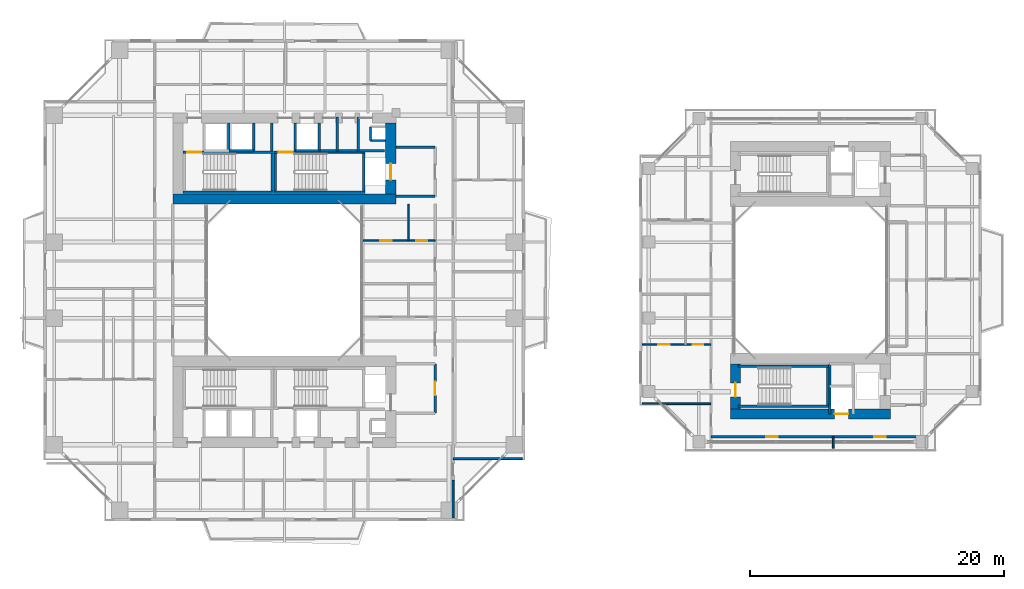
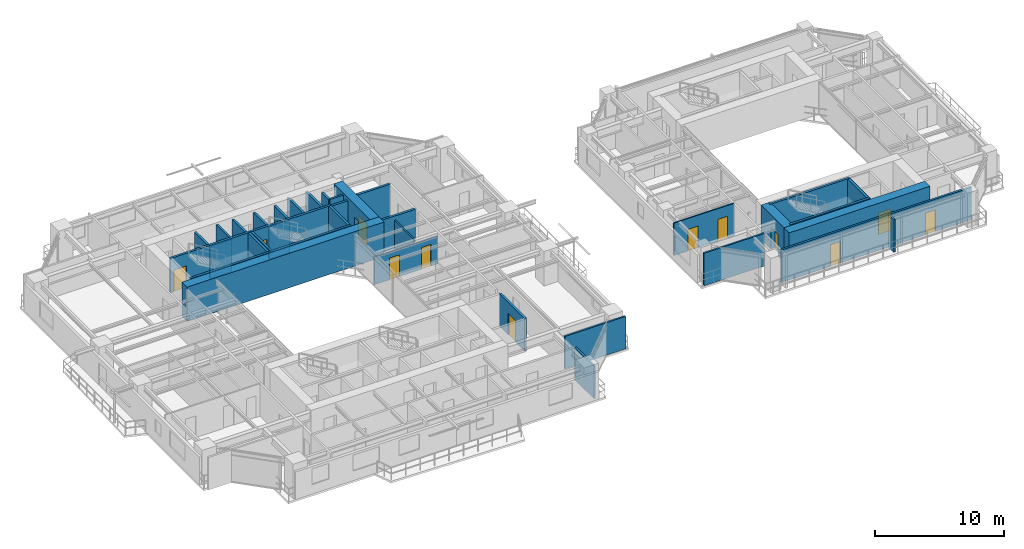
# One storey, part 14 of 23: 38 walls, 12 doors, 12 openings.
"""IFC4 building model written with IfcOpenShell, lengths in metres."""

from ifc_helpers import new_model, si_unit, direction, frame, frame_2d, origin, place, context, subcontext, project, spatial, rectangle, extrude, source, transform, mapped, material, layer, layer_set, type_object, element, fill, save


model = new_model("IFC4")

# Units and contexts
model_context = context("Model", 3, precision=1e-05, world=origin(), true_north=direction((0.0, 1.0)))
body_context = subcontext(model_context, "Body", "Model", "MODEL_VIEW")
ifc_project = project(units=[si_unit("LENGTHUNIT", "METRE"), si_unit("AREAUNIT", "SQUARE_METRE"), si_unit("VOLUMEUNIT", "CUBIC_METRE"), si_unit("PLANEANGLEUNIT", "RADIAN"), si_unit("MASSUNIT", "GRAM", prefix="KILO"), si_unit("THERMODYNAMICTEMPERATUREUNIT", "KELVIN"), si_unit("POWERUNIT", "WATT")], contexts=[model_context])

# Site, building, storey
site_placement = place(None, origin())
site = spatial("IfcSite", under=ifc_project, at=site_placement, CompositionType="ELEMENT")
building_placement = place(site_placement, origin())
building = spatial("IfcBuilding", under=site, at=building_placement, Name="Qiaomeng Ring Towers", CompositionType="ELEMENT")
storey_placement = place(building_placement, frame((0.0, 0.0, 29.5)))
storey = spatial("IfcBuildingStorey", under=building, at=storey_placement, Name="L07", CompositionType="ELEMENT", Elevation=29.5)

# Walls
ifc_material_1 = material(Name="Autoclaved aerated concrete block", Category="concrete")
ifc_layer_1 = layer(ifc_material_1, 0.199951171875, Name="Autoclaved aerated concrete block")
ifc_layer_set_1 = layer_set([ifc_layer_1], Name="Autoclaved aerated concrete block")
wall_type_1 = type_object("IfcWallType", Name="ARC-WL-PW1", PredefinedType="PARTITIONING", material=ifc_layer_set_1)
for number, where, z_axis, x_axis, name in (
    (1, (27.800048828125, 29.60009765625, 0.0), (0.0, 0.0, 1.0), (1.0, 0.0, 0.0), "L07 Interior Wall PW1"),
    (2, (27.800048828125, 33.5, 0.0), (0.0, 0.0, 1.0), (1.0, 0.0, 0.0), "L07 Interior Wall PW1"),
):
    element("IfcWall", number, at=place(storey_placement, frame(where, z_axis=z_axis, x_axis=x_axis)), inside=storey, type_object=wall_type_1, Name=name, PredefinedType="PARTITIONING", context=body_context, shape_type="SweptSolid", body=[
        extrude(rectangle(XDim=3.099853515625, YDim=0.199951171875, at=frame_2d((1.5498046875, 0.0))), origin(), (0.0, 0.0, 1.0), 3.070068359375),
    ])

# Wall, opening, door
wall_1_placement = place(storey_placement, frame((30.89990234375, 12.5, 0.0), z_axis=(0.0, 0.0, 1.0), x_axis=(0.0, 1.0, 0.0)))
wall_1 = element("IfcWall", 3, at=wall_1_placement, inside=storey, type_object=wall_type_1, Name="L07 Interior Wall PW1", PredefinedType="PARTITIONING", context=body_context, shape_type="SweptSolid", body=[
    extrude(rectangle(XDim=3.89990234375, YDim=0.199951171875, at=frame_2d((1.949951171875, 0.0))), origin(), (0.0, 0.0, 1.0), 3.070068359375),
])
opening_1_placement = place(wall_1_placement, frame((1.39990234375, 0.0, 0.0)))
opening_1 = element("IfcOpeningElement", 4, at=opening_1_placement, cuts=wall_1, Name="Opening FD3", PredefinedType="OPENING", context=body_context, shape_type="SweptSolid", body=[
    extrude(rectangle(XDim=1.10009765625, YDim=2.050048828125, at=frame_2d((0.550048828125, 1.02490234375))), frame((0.0, 0.10986328125, 0.0), z_axis=(0.0, -1.0, 0.0), x_axis=(1.0, 0.0, 0.0)), (0.0, 0.0, 1.0), 0.219970703125),
])
ifc_material_2 = material(Name="Galvanised steel", Category="steel")
door_type_1 = type_object("IfcDoorType", Name="ARC-DR-FD3", OperationType="NOTDEFINED", PredefinedType="DOOR", material=ifc_material_2)
shared_shape_1 = source(origin(), body_context, "Body", "SweptSolid", [
    extrude(rectangle(XDim=1.10009765625, YDim=2.050048828125, at=frame_2d((0.550048828125, 1.02490234375))), frame((0.0, 0.02490234375, 0.0), z_axis=(0.0, -1.0, 0.0), x_axis=(1.0, 0.0, 0.0)), (0.0, 0.0, 1.0), 0.050048828125),
])
door_1_placement = place(opening_1_placement, origin())
door_1 = element("IfcDoor", 5, at=door_1_placement, inside=storey, type_object=door_type_1, Name="L07 South FF Lobby Door", OperationType="SINGLE_SWING_RIGHT", OverallHeight=2.050048828125, OverallWidth=1.10009765625, PredefinedType="DOOR", context=body_context, shape_type="MappedRepresentation", body=[
    mapped(shared_shape_1, transform((0.0, 0.0, 0.0), x_axis=(1.0, 0.0, 0.0), y_axis=(0.0, 1.0, 0.0), z_axis=(0.0, 0.0, 1.0), scale=1.0)),
])
fill(opening_1, door_1)

# Walls
for number, where, z_axis, x_axis, name in (
    (6, (18.0, 33.18994140625, 0.0), (0.0, 0.0, 1.0), (0.0, 1.0, 0.0), "L07 Interior Wall PW1"),
    (7, (19.8798828125, 33.18994140625, 0.0), (0.0, 0.0, 1.0), (0.0, 1.0, 0.0), "L07 Interior Wall PW1"),
):
    element("IfcWall", number, at=place(storey_placement, frame(where, z_axis=z_axis, x_axis=x_axis)), inside=storey, type_object=wall_type_1, Name=name, PredefinedType="PARTITIONING", context=body_context, shape_type="SweptSolid", body=[
        extrude(rectangle(XDim=2.2099609375, YDim=0.199951171875, at=frame_2d((1.10498046875, 0.0))), origin(), (0.0, 0.0, 1.0), 3.070068359375),
    ])
wall_2_placement = place(storey_placement, frame((24.820068359375, 33.199951171875, 0.0), z_axis=(0.0, 0.0, 1.0), x_axis=(0.0, 1.0, 0.0)))
element("IfcWall", 8, at=wall_2_placement, inside=storey, type_object=wall_type_1, Name="L07 Interior Wall PW1", PredefinedType="PARTITIONING", context=body_context, shape_type="SweptSolid", body=[
    extrude(rectangle(XDim=2.650146484375, YDim=0.199951171875, at=frame_2d((1.3251953125, 0.0))), origin(), (0.0, 0.0, 1.0), 3.070068359375),
])
wall_3_placement = place(storey_placement, frame((21.75, 33.199951171875, 0.0), z_axis=(0.0, 0.0, 1.0), x_axis=(0.0, 1.0, 0.0)))
element("IfcWall", 9, at=wall_3_placement, inside=storey, type_object=wall_type_1, Name="L07 Interior Wall PW1", PredefinedType="PARTITIONING", context=body_context, shape_type="SweptSolid", body=[
    extrude(rectangle(XDim=2.199951171875, YDim=0.199951171875, at=frame_2d((1.10009765625, 0.0))), origin(), (0.0, 0.0, 1.0), 3.070068359375),
])
wall_4_placement = place(storey_placement, frame((23.169921875, 33.199951171875, 0.0), z_axis=(0.0, 0.0, 1.0), x_axis=(0.0, 1.0, 0.0)))
element("IfcWall", 10, at=wall_4_placement, inside=storey, type_object=wall_type_1, Name="L07 Interior Wall PW1", PredefinedType="PARTITIONING", context=body_context, shape_type="SweptSolid", body=[
    extrude(rectangle(XDim=2.650146484375, YDim=0.199951171875, at=frame_2d((1.3251953125, 0.0))), origin(), (0.0, 0.0, 1.0), 3.070068359375),
])
wall_5_placement = place(storey_placement, frame((21.75, 33.199951171875, 0.0), z_axis=(0.0, 0.0, 1.0), x_axis=(1.0, 0.0, 0.0)))
element("IfcWall", 11, at=wall_5_placement, inside=storey, type_object=wall_type_1, Name="L07 Interior Wall PW1", PredefinedType="PARTITIONING", context=body_context, shape_type="SweptSolid", body=[
    extrude(rectangle(XDim=5.169921875, YDim=0.199951171875, at=frame_2d((2.5849609375, 0.0))), origin(), (0.0, 0.0, 1.0), 3.070068359375),
])

# Wall, openings, doors
ifc_layer_2 = layer(ifc_material_1, 0.179931640625, Name="Autoclaved aerated concrete block")
ifc_layer_set_2 = layer_set([ifc_layer_2], Name="Autoclaved aerated concrete block")
wall_type_2 = type_object("IfcWallType", Name="ARC-WL-PW2", PredefinedType="PARTITIONING", material=ifc_layer_set_2)
wall_6_placement = place(storey_placement, frame((52.64990234375, 10.64990234375, 0.0), z_axis=(0.0, 0.0, 1.0), x_axis=(1.0, 0.0, 0.0)))
wall_6 = element("IfcWall", 12, at=wall_6_placement, inside=storey, type_object=wall_type_2, Name="L07 Interior Wall PW2", PredefinedType="PARTITIONING", context=body_context, shape_type="SweptSolid", body=[
    extrude(rectangle(XDim=17.0, YDim=0.179931640625, at=frame_2d((8.5, 0.0))), origin(), (0.0, 0.0, 1.0), 3.070068359375),
])
opening_2_placement = place(wall_6_placement, frame((4.375, 0.0, 0.0)))
opening_2 = element("IfcOpeningElement", 13, at=opening_2_placement, cuts=wall_6, Name="Opening ID1", PredefinedType="OPENING", context=body_context, shape_type="SweptSolid", body=[
    extrude(rectangle(XDim=0.89990234375, YDim=2.050048828125, at=frame_2d((0.449951171875, 1.02490234375))), frame((0.0, 0.099853515625, 0.0), z_axis=(0.0, -1.0, 0.0), x_axis=(1.0, 0.0, 0.0)), (0.0, 0.0, 1.0), 0.199951171875),
])
opening_3_placement = place(wall_6_placement, frame((12.875, 0.0, 0.0)))
opening_3 = element("IfcOpeningElement", 14, at=opening_3_placement, cuts=wall_6, Name="Opening ID1", PredefinedType="OPENING", context=body_context, shape_type="SweptSolid", body=[
    extrude(rectangle(XDim=0.89990234375, YDim=2.050048828125, at=frame_2d((0.449951171875, 1.02490234375))), frame((0.0, 0.099853515625, 0.0), z_axis=(0.0, -1.0, 0.0), x_axis=(1.0, 0.0, 0.0)), (0.0, 0.0, 1.0), 0.199951171875),
])
ifc_material_3 = material(Name="Engineered oak timber", Category="wood")
door_type_2 = type_object("IfcDoorType", Name="ARC-DR-ID1", OperationType="NOTDEFINED", PredefinedType="DOOR", material=ifc_material_3)
shared_shape_2 = source(origin(), body_context, "Body", "SweptSolid", [
    extrude(rectangle(XDim=0.89990234375, YDim=2.050048828125, at=frame_2d((0.449951171875, 1.02490234375))), frame((0.0, 0.02490234375, 0.0), z_axis=(0.0, -1.0, 0.0), x_axis=(1.0, 0.0, 0.0)), (0.0, 0.0, 1.0), 0.050048828125),
])
door_2_placement = place(opening_2_placement, origin())
door_2 = element("IfcDoor", 15, at=door_2_placement, inside=storey, type_object=door_type_2, Name="L07 Door ID1", OperationType="SINGLE_SWING_RIGHT", OverallHeight=2.050048828125, OverallWidth=0.89990234375, PredefinedType="DOOR", context=body_context, shape_type="MappedRepresentation", body=[
    mapped(shared_shape_2, transform((0.0, 0.0, 0.0), x_axis=(1.0, 0.0, 0.0), y_axis=(0.0, 1.0, 0.0), z_axis=(0.0, 0.0, 1.0), scale=1.0)),
])
fill(opening_2, door_2)
door_3_placement = place(opening_3_placement, origin())
door_3 = element("IfcDoor", 16, at=door_3_placement, inside=storey, type_object=door_type_2, Name="L07 Door ID1", OperationType="SINGLE_SWING_LEFT", OverallHeight=2.050048828125, OverallWidth=0.89990234375, PredefinedType="DOOR", context=body_context, shape_type="MappedRepresentation", body=[
    mapped(shared_shape_2, transform((0.0, 0.0, 0.0), x_axis=(1.0, 0.0, 0.0), y_axis=(0.0, 1.0, 0.0), z_axis=(0.0, 0.0, 1.0), scale=1.0)),
])
fill(opening_3, door_3)

# Walls
ifc_material_4 = material(Name="Gypsum fireboard steel-stud partition", Category="steel")
ifc_layer_3 = layer(ifc_material_4, 0.14990234375, Name="Gypsum fireboard steel-stud partition")
ifc_layer_set_3 = layer_set([ifc_layer_3], Name="Gypsum fireboard steel-stud partition")
wall_type_3 = type_object("IfcWallType", Name="ARC-WL-PW3", PredefinedType="PARTITIONING", material=ifc_layer_set_3)
wall_7_placement = place(storey_placement, frame((32.320068359375, 4.25, 0.0), z_axis=(0.0, 0.0, 1.0), x_axis=(0.0, 1.0, 0.0)))
element("IfcWall", 17, at=wall_7_placement, inside=storey, type_object=wall_type_3, Name="L07 Interior Wall PW3", PredefinedType="PARTITIONING", context=body_context, shape_type="SweptSolid", body=[
    extrude(rectangle(XDim=2.9599609375, YDim=0.14990234375, at=frame_2d((1.47998046875, 0.0))), origin(), (0.0, 0.0, 1.0), 3.070068359375),
])
wall_8_placement = place(storey_placement, frame((32.320068359375, 8.919921875, 0.0), z_axis=(0.0, 0.0, 1.0), x_axis=(1.0, 0.0, 0.0)))
element("IfcWall", 18, at=wall_8_placement, inside=storey, type_object=wall_type_3, Name="L07 Interior Wall PW3", PredefinedType="PARTITIONING", context=body_context, shape_type="SweptSolid", body=[
    extrude(rectangle(XDim=5.429931640625, YDim=0.14990234375, at=frame_2d((2.71484375, 0.0))), origin(), (0.0, 0.0, 1.0), 3.070068359375),
])
wall_9_placement = place(storey_placement, frame((47.25, 13.25, 0.0), z_axis=(0.0, 0.0, 1.0), x_axis=(1.0, 0.0, 0.0)))
element("IfcWall", 19, at=wall_9_placement, inside=storey, type_object=wall_type_3, Name="L07 Interior Wall PW3", PredefinedType="PARTITIONING", context=body_context, shape_type="SweptSolid", body=[
    extrude(rectangle(XDim=5.39990234375, YDim=0.14990234375, at=frame_2d((2.699951171875, 0.0))), origin(), (0.0, 0.0, 1.0), 3.070068359375),
])
wall_10_placement = place(storey_placement, frame((62.300048828125, 9.75, 0.0), z_axis=(0.0, 0.0, 1.0), x_axis=(0.0, 1.0, 0.0)))
element("IfcWall", 20, at=wall_10_placement, inside=storey, type_object=wall_type_3, Name="L07 Interior Wall PW3", PredefinedType="PARTITIONING", context=body_context, shape_type="SweptSolid", body=[
    extrude(rectangle(XDim=0.89990234375, YDim=0.14990234375, at=frame_2d((0.449951171875, 0.0))), origin(), (0.0, 0.0, 1.0), 3.070068359375),
])

# Wall, openings, doors
ifc_material_5 = material(Name="Moisture-resistant gypsum steel-stud partition", Category="steel")
ifc_layer_4 = layer(ifc_material_5, 0.1201171875, Name="Moisture-resistant gypsum steel-stud partition")
ifc_layer_set_4 = layer_set([ifc_layer_4], Name="Moisture-resistant gypsum steel-stud partition")
wall_type_4 = type_object("IfcWallType", Name="ARC-WL-PW4", PredefinedType="PLUMBINGWALL", material=ifc_layer_set_4)
wall_11_placement = place(storey_placement, frame((25.219970703125, 26.110107421875, 0.0), z_axis=(0.0, 0.0, 1.0), x_axis=(1.0, 0.0, 0.0)))
wall_11 = element("IfcWall", 21, at=wall_11_placement, inside=storey, type_object=wall_type_4, Name="L07 Interior Wall PW4", PredefinedType="PLUMBINGWALL", context=body_context, shape_type="SweptSolid", body=[
    extrude(rectangle(XDim=5.679931640625, YDim=0.1201171875, at=frame_2d((2.83984375, 0.0))), origin(), (0.0, 0.0, 1.0), 2.625),
])
opening_4_placement = place(wall_11_placement, frame((1.35009765625, 0.0, 0.0)))
opening_4 = element("IfcOpeningElement", 22, at=opening_4_placement, cuts=wall_11, Name="Opening ID1", PredefinedType="OPENING", context=body_context, shape_type="SweptSolid", body=[
    extrude(rectangle(XDim=0.89990234375, YDim=2.050048828125, at=frame_2d((0.449951171875, 1.02490234375))), frame((0.0, 0.070068359375, 0.0), z_axis=(0.0, -1.0, 0.0), x_axis=(1.0, 0.0, 0.0)), (0.0, 0.0, 1.0), 0.14013671875),
])
opening_5_placement = place(wall_11_placement, frame((4.195068359375, 0.0, 0.0)))
opening_5 = element("IfcOpeningElement", 23, at=opening_5_placement, cuts=wall_11, Name="Opening ID2", PredefinedType="OPENING", context=body_context, shape_type="SweptSolid", body=[
    extrude(rectangle(XDim=0.85009765625, YDim=2.050048828125, at=frame_2d((0.425048828125, 1.02490234375))), frame((0.0, 0.070068359375, 0.0), z_axis=(0.0, -1.0, 0.0), x_axis=(1.0, 0.0, 0.0)), (0.0, 0.0, 1.0), 0.14013671875),
])
ifc_material_6 = material(Name="Moisture-resistant engineered timber", Category="wood")
door_type_3 = type_object("IfcDoorType", Name="ARC-DR-ID2", OperationType="NOTDEFINED", PredefinedType="DOOR", material=ifc_material_6)
shared_shape_3 = source(origin(), body_context, "Body", "SweptSolid", [
    extrude(rectangle(XDim=0.85009765625, YDim=2.050048828125, at=frame_2d((0.425048828125, 1.02490234375))), frame((0.0, 0.02490234375, 0.0), z_axis=(0.0, -1.0, 0.0), x_axis=(1.0, 0.0, 0.0)), (0.0, 0.0, 1.0), 0.050048828125),
])
door_4_placement = place(opening_5_placement, origin())
door_4 = element("IfcDoor", 24, at=door_4_placement, inside=storey, type_object=door_type_3, Name="L07 Door ID2", OperationType="SINGLE_SWING_LEFT", OverallHeight=2.050048828125, OverallWidth=0.85009765625, PredefinedType="DOOR", context=body_context, shape_type="MappedRepresentation", body=[
    mapped(shared_shape_3, transform((0.0, 0.0, 0.0), x_axis=(1.0, 0.0, 0.0), y_axis=(0.0, 1.0, 0.0), z_axis=(0.0, 0.0, 1.0), scale=1.0)),
])
fill(opening_5, door_4)
door_5_placement = place(opening_4_placement, origin())
door_5 = element("IfcDoor", 25, at=door_5_placement, inside=storey, type_object=door_type_2, Name="L07 Door ID1", OperationType="SINGLE_SWING_RIGHT", OverallHeight=2.050048828125, OverallWidth=0.89990234375, PredefinedType="DOOR", context=body_context, shape_type="MappedRepresentation", body=[
    mapped(shared_shape_2, transform((0.0, 0.0, 0.0), x_axis=(1.0, 0.0, 0.0), y_axis=(0.0, 1.0, 0.0), z_axis=(0.0, 0.0, 1.0), scale=1.0)),
])
fill(opening_4, door_5)

# Wall
wall_12_placement = place(storey_placement, frame((28.800048828125, 26.110107421875, 0.0), z_axis=(0.0, 0.0, 1.0), x_axis=(0.0, 1.0, 0.0)))
element("IfcWall", 26, at=wall_12_placement, inside=storey, type_object=wall_type_4, Name="L07 Interior Wall PW4", PredefinedType="PLUMBINGWALL", context=body_context, shape_type="SweptSolid", body=[
    extrude(rectangle(XDim=2.889892578125, YDim=0.1201171875, at=frame_2d((1.44482421875, 0.0))), origin(), (0.0, 0.0, 1.0), 3.070068359375),
])

# Wall, openings, doors
wall_13_placement = place(storey_placement, frame((47.25, 17.919921875, 0.0), z_axis=(0.0, 0.0, 1.0), x_axis=(1.0, 0.0, 0.0)))
wall_13 = element("IfcWall", 27, at=wall_13_placement, inside=storey, type_object=wall_type_4, Name="L07 Interior Wall PW4", PredefinedType="PLUMBINGWALL", context=body_context, shape_type="SweptSolid", body=[
    extrude(rectangle(XDim=5.39990234375, YDim=0.1201171875, at=frame_2d((2.699951171875, 0.0))), origin(), (0.0, 0.0, 1.0), 3.070068359375),
])
opening_6_placement = place(wall_13_placement, frame((1.260009765625, 0.0, 0.0)))
opening_6 = element("IfcOpeningElement", 28, at=opening_6_placement, cuts=wall_13, Name="Opening ID1", PredefinedType="OPENING", context=body_context, shape_type="SweptSolid", body=[
    extrude(rectangle(XDim=0.89990234375, YDim=2.050048828125, at=frame_2d((0.449951171875, 1.02490234375))), frame((0.0, 0.070068359375, 0.0), z_axis=(0.0, -1.0, 0.0), x_axis=(1.0, 0.0, 0.0)), (0.0, 0.0, 1.0), 0.14013671875),
])
opening_7_placement = place(wall_13_placement, frame((3.965087890625, 0.0, 0.0)))
opening_7 = element("IfcOpeningElement", 29, at=opening_7_placement, cuts=wall_13, Name="Opening ID2", PredefinedType="OPENING", context=body_context, shape_type="SweptSolid", body=[
    extrude(rectangle(XDim=0.85009765625, YDim=2.050048828125, at=frame_2d((0.425048828125, 1.02490234375))), frame((0.0, 0.070068359375, 0.0), z_axis=(0.0, -1.0, 0.0), x_axis=(1.0, 0.0, 0.0)), (0.0, 0.0, 1.0), 0.14013671875),
])
door_6_placement = place(opening_7_placement, origin())
door_6 = element("IfcDoor", 30, at=door_6_placement, inside=storey, type_object=door_type_3, Name="L07 Door ID2", OperationType="SINGLE_SWING_LEFT", OverallHeight=2.050048828125, OverallWidth=0.85009765625, PredefinedType="DOOR", context=body_context, shape_type="MappedRepresentation", body=[
    mapped(shared_shape_3, transform((0.0, 0.0, 0.0), x_axis=(1.0, 0.0, 0.0), y_axis=(0.0, 1.0, 0.0), z_axis=(0.0, 0.0, 1.0), scale=1.0)),
])
fill(opening_7, door_6)
door_7_placement = place(opening_6_placement, origin())
door_7 = element("IfcDoor", 31, at=door_7_placement, inside=storey, type_object=door_type_2, Name="L07 Door ID1", OperationType="SINGLE_SWING_RIGHT", OverallHeight=2.050048828125, OverallWidth=0.89990234375, PredefinedType="DOOR", context=body_context, shape_type="MappedRepresentation", body=[
    mapped(shared_shape_2, transform((0.0, 0.0, 0.0), x_axis=(1.0, 0.0, 0.0), y_axis=(0.0, 1.0, 0.0), z_axis=(0.0, 0.0, 1.0), scale=1.0)),
])
fill(opening_6, door_7)

# Walls
ifc_material_7 = material(Name="Concrete C40", Category="concrete")
ifc_layer_5 = layer(ifc_material_7, 0.199951171875, Name="Concrete C40")
ifc_layer_set_5 = layer_set([ifc_layer_5], Name="Concrete C40")
wall_type_5 = type_object("IfcWallType", Name="STR-WL-STSHAFT", PredefinedType="SHEAR", material=ifc_layer_set_5)
wall_14_placement = place(storey_placement, frame((14.6201171875, 33.199951171875, 0.0), z_axis=(0.0, 0.0, 1.0), x_axis=(0.0, 1.0, 0.0)))
element("IfcWall", 32, at=wall_14_placement, inside=storey, type_object=wall_type_5, Name="L07 Lift LP5-LP3 Shaft Divider Wall", PredefinedType="SHEAR", context=body_context, shape_type="SweptSolid", body=[
    extrude(rectangle(XDim=2.199951171875, YDim=0.179931640625, at=frame_2d((1.10009765625, 0.0))), origin(), (0.0, 0.0, 1.0), 3.070068359375),
])
wall_15_placement = place(storey_placement, frame((25.800048828125, 34.02001953125, 0.0), z_axis=(0.0, 0.0, 1.0), x_axis=(0.0, 1.0, 0.0)))
element("IfcWall", 33, at=wall_15_placement, inside=storey, type_object=wall_type_5, Name="L07 Riser RSR1 West Shaft Wall N", PredefinedType="SHEAR", context=body_context, shape_type="SweptSolid", body=[
    extrude(rectangle(XDim=1.06005859375, YDim=0.179931640625, at=frame_2d((0.530029296875, 0.0))), origin(), (0.0, 0.0, 1.0), 3.070068359375),
])
wall_16_placement = place(storey_placement, frame((25.800048828125, 34.02001953125, 0.0), z_axis=(0.0, 0.0, 1.0), x_axis=(1.0, 0.0, 0.0)))
element("IfcWall", 34, at=wall_16_placement, inside=storey, type_object=wall_type_5, Name="L07 Riser RSR1 South Shaft Wall N", PredefinedType="SHEAR", context=body_context, shape_type="SweptSolid", body=[
    extrude(rectangle(XDim=1.199951171875, YDim=0.179931640625, at=frame_2d((0.60009765625, 0.0))), origin(), (0.0, 0.0, 1.0), 3.070068359375),
])
wall_17_placement = place(storey_placement, frame((14.6201171875, 33.199951171875, 0.0), z_axis=(0.0, 0.0, 1.0), x_axis=(1.0, 0.0, 0.0)))
element("IfcWall", 35, at=wall_17_placement, inside=storey, type_object=wall_type_5, Name="L07 Lift LP3 Shaft Back Wall", PredefinedType="SHEAR", context=body_context, shape_type="SweptSolid", body=[
    extrude(rectangle(XDim=1.9599609375, YDim=0.179931640625, at=frame_2d((0.97998046875, 0.0))), origin(), (0.0, 0.0, 1.0), 3.070068359375),
])
wall_18_placement = place(storey_placement, frame((16.580078125, 33.199951171875, 0.0), z_axis=(0.0, 0.0, 1.0), x_axis=(0.0, 1.0, 0.0)))
element("IfcWall", 36, at=wall_18_placement, inside=storey, type_object=wall_type_5, Name="L07 Lift LP3 East Shaft Wall", PredefinedType="SHEAR", context=body_context, shape_type="SweptSolid", body=[
    extrude(rectangle(XDim=2.199951171875, YDim=0.179931640625, at=frame_2d((1.10009765625, 0.0))), origin(), (0.0, 0.0, 1.0), 3.070068359375),
])
wall_19_placement = place(storey_placement, frame((19.8798828125, 33.199951171875, 0.0), z_axis=(0.0, 0.0, 1.0), x_axis=(1.0, 0.0, 0.0)))
element("IfcWall", 37, at=wall_19_placement, inside=storey, type_object=wall_type_5, Name="L07 Lift LP1 Shaft Back Wall", PredefinedType="SHEAR", context=body_context, shape_type="SweptSolid", body=[
    extrude(rectangle(XDim=1.8701171875, YDim=0.179931640625, at=frame_2d((0.93505859375, 0.0))), origin(), (0.0, 0.0, 1.0), 3.070068359375),
])
wall_20_placement = place(storey_placement, frame((62.02001953125, 12.449951171875, 0.0), z_axis=(0.0, 0.0, 1.0), x_axis=(0.0, 1.0, 0.0)))
element("IfcWall", 38, at=wall_20_placement, inside=storey, type_object=wall_type_5, Name="L07 Companion Lift Shaft West Wall S", PredefinedType="SHEAR", context=body_context, shape_type="SweptSolid", body=[
    extrude(rectangle(XDim=3.949951171875, YDim=0.179931640625, at=frame_2d((1.97509765625, 0.0))), origin(), (0.0, 0.0, 1.0), 3.070068359375),
])
wall_21_placement = place(storey_placement, frame((11.0, 29.949951171875, 0.0), z_axis=(0.0, 0.0, 1.0), x_axis=(1.0, 0.0, 0.0)))
element("IfcWall", 39, at=wall_21_placement, inside=storey, type_object=wall_type_5, Name="L07 Stair ST1 South Shaft Shear Wall", PredefinedType="SHEAR", context=body_context, shape_type="SweptSolid", body=[
    extrude(rectangle(XDim=7.14990234375, YDim=0.199951171875, at=frame_2d((3.574951171875, 0.0))), origin(), (0.0, 0.0, 1.0), 3.25),
])

# Wall, opening, door
wall_22_placement = place(storey_placement, frame((11.0, 33.090087890625, 0.0), z_axis=(0.0, 0.0, 1.0), x_axis=(1.0, 0.0, 0.0)))
wall_22 = element("IfcWall", 40, at=wall_22_placement, inside=storey, type_object=wall_type_5, Name="L07 Stair ST1 North Shaft Shear Wall", PredefinedType="SHEAR", context=body_context, shape_type="SweptSolid", body=[
    extrude(rectangle(XDim=7.14990234375, YDim=0.199951171875, at=frame_2d((3.574951171875, 0.0))), origin(), (0.0, 0.0, 1.0), 3.25),
])
opening_8_placement = place(wall_22_placement, frame((0.35009765625, 0.0, 0.0)))
opening_8 = element("IfcOpeningElement", 41, at=opening_8_placement, cuts=wall_22, Name="Opening FD3", PredefinedType="OPENING", context=body_context, shape_type="SweptSolid", body=[
    extrude(rectangle(XDim=1.10009765625, YDim=2.050048828125, at=frame_2d((0.550048828125, 1.02490234375))), frame((0.0, 0.10986328125, 0.0), z_axis=(0.0, -1.0, 0.0), x_axis=(1.0, 0.0, 0.0)), (0.0, 0.0, 1.0), 0.219970703125),
])
door_8_placement = place(opening_8_placement, origin())
door_8 = element("IfcDoor", 42, at=door_8_placement, inside=storey, type_object=door_type_1, Name="L07 Stair ST1 Exit Door", OperationType="SINGLE_SWING_RIGHT", OverallHeight=2.050048828125, OverallWidth=1.10009765625, PredefinedType="DOOR", context=body_context, shape_type="MappedRepresentation", body=[
    mapped(shared_shape_1, transform((0.0, 0.0, 0.0), x_axis=(1.0, 0.0, 0.0), y_axis=(0.0, 1.0, 0.0), z_axis=(0.0, 0.0, 1.0), scale=1.0)),
])
fill(opening_8, door_8)

# Walls
wall_23_placement = place(storey_placement, frame((18.050048828125, 30.050048828125, 0.0), z_axis=(0.0, 0.0, 1.0), x_axis=(0.0, 1.0, 0.0)))
element("IfcWall", 43, at=wall_23_placement, inside=storey, type_object=wall_type_5, Name="L07 Stair ST1 East Shaft Shear Wall", PredefinedType="SHEAR", context=body_context, shape_type="SweptSolid", body=[
    extrude(rectangle(XDim=2.93994140625, YDim=0.199951171875, at=frame_2d((1.469970703125, 0.0))), origin(), (0.0, 0.0, 1.0), 3.25),
])
wall_24_placement = place(storey_placement, frame((18.199951171875, 29.949951171875, 0.0), z_axis=(0.0, 0.0, 1.0), x_axis=(1.0, 0.0, 0.0)))
element("IfcWall", 44, at=wall_24_placement, inside=storey, type_object=wall_type_5, Name="L07 Stair ST2 South Shaft Shear Wall", PredefinedType="SHEAR", context=body_context, shape_type="SweptSolid", body=[
    extrude(rectangle(XDim=7.150146484375, YDim=0.199951171875, at=frame_2d((3.5751953125, 0.0))), origin(), (0.0, 0.0, 1.0), 3.25),
])

# Wall, opening, door
wall_25_placement = place(storey_placement, frame((18.199951171875, 33.090087890625, 0.0), z_axis=(0.0, 0.0, 1.0), x_axis=(1.0, 0.0, 0.0)))
wall_25 = element("IfcWall", 45, at=wall_25_placement, inside=storey, type_object=wall_type_5, Name="L07 Stair ST2 North Shaft Shear Wall", PredefinedType="SHEAR", context=body_context, shape_type="SweptSolid", body=[
    extrude(rectangle(XDim=7.150146484375, YDim=0.199951171875, at=frame_2d((3.5751953125, 0.0))), origin(), (0.0, 0.0, 1.0), 3.25),
])
opening_9_placement = place(wall_25_placement, frame((0.35009765625, 0.0, 0.0)))
opening_9 = element("IfcOpeningElement", 46, at=opening_9_placement, cuts=wall_25, Name="Opening FD3", PredefinedType="OPENING", context=body_context, shape_type="SweptSolid", body=[
    extrude(rectangle(XDim=1.10009765625, YDim=2.050048828125, at=frame_2d((0.550048828125, 1.02490234375))), frame((0.0, 0.10986328125, 0.0), z_axis=(0.0, -1.0, 0.0), x_axis=(1.0, 0.0, 0.0)), (0.0, 0.0, 1.0), 0.219970703125),
])
door_9_placement = place(opening_9_placement, origin())
door_9 = element("IfcDoor", 47, at=door_9_placement, inside=storey, type_object=door_type_1, Name="L07 Stair ST2 Exit Door", OperationType="SINGLE_SWING_RIGHT", OverallHeight=2.050048828125, OverallWidth=1.10009765625, PredefinedType="DOOR", context=body_context, shape_type="MappedRepresentation", body=[
    mapped(shared_shape_1, transform((0.0, 0.0, 0.0), x_axis=(1.0, 0.0, 0.0), y_axis=(0.0, 1.0, 0.0), z_axis=(0.0, 0.0, 1.0), scale=1.0)),
])
fill(opening_9, door_9)

# Walls
for number, where, z_axis, x_axis, name in (
    (48, (18.300048828125, 30.050048828125, 0.0), (0.0, 0.0, 1.0), (0.0, 1.0, 0.0), "L07 Stair ST2 West Shaft Shear Wall"),
    (49, (25.25, 30.050048828125, 0.0), (0.0, 0.0, 1.0), (0.0, 1.0, 0.0), "L07 Stair ST2 East Shaft Shear Wall"),
):
    element("IfcWall", number, at=place(storey_placement, frame(where, z_axis=z_axis, x_axis=x_axis)), inside=storey, type_object=wall_type_5, Name=name, PredefinedType="SHEAR", context=body_context, shape_type="SweptSolid", body=[
        extrude(rectangle(XDim=2.93994140625, YDim=0.199951171875, at=frame_2d((1.469970703125, 0.0))), origin(), (0.0, 0.0, 1.0), 3.25),
    ])
for number, where, z_axis, x_axis, name in (
    (50, (54.800048828125, 13.06005859375, 0.0), (0.0, 0.0, 1.0), (1.0, 0.0, 0.0), "L07 Stair ST6 South Shaft Shear Wall"),
    (51, (54.800048828125, 16.199951171875, 0.0), (0.0, 0.0, 1.0), (1.0, 0.0, 0.0), "L07 Stair ST6 North Shaft Shear Wall"),
):
    element("IfcWall", number, at=place(storey_placement, frame(where, z_axis=z_axis, x_axis=x_axis)), inside=storey, type_object=wall_type_5, Name=name, PredefinedType="SHEAR", context=body_context, shape_type="SweptSolid", body=[
        extrude(rectangle(XDim=7.14990234375, YDim=0.199951171875, at=frame_2d((3.574951171875, 0.0))), origin(), (0.0, 0.0, 1.0), 3.25),
    ])
wall_26_placement = place(storey_placement, frame((61.85009765625, 13.159912109375, 0.0), z_axis=(0.0, 0.0, 1.0), x_axis=(0.0, 1.0, 0.0)))
element("IfcWall", 52, at=wall_26_placement, inside=storey, type_object=wall_type_5, Name="L07 Stair ST6 East Shaft Shear Wall", PredefinedType="SHEAR", context=body_context, shape_type="SweptSolid", body=[
    extrude(rectangle(XDim=2.940185546875, YDim=0.199951171875, at=frame_2d((1.47021484375, 0.0))), origin(), (0.0, 0.0, 1.0), 3.25),
])
ifc_material_8 = material(Name="Concrete C60", Category="concrete")
ifc_layer_6 = layer(ifc_material_8, 0.800048828125, Name="Concrete C60")
ifc_layer_set_6 = layer_set([ifc_layer_6], Name="Concrete C60")
wall_type_6 = type_object("IfcWallType", Name="STR-WL-SW1", PredefinedType="SHEAR", material=ifc_layer_set_6)
wall_27_placement = place(storey_placement, frame((10.199951171875, 29.39990234375, 0.0), z_axis=(0.0, 0.0, 1.0), x_axis=(1.0, 0.0, 0.0)))
element("IfcWall", 53, at=wall_27_placement, inside=storey, type_object=wall_type_6, Name="L07 T1NC south core shear wall", PredefinedType="SHEAR", context=body_context, shape_type="SweptSolid", body=[
    extrude(rectangle(XDim=17.60009765625, YDim=0.800048828125, at=frame_2d((8.800048828125, 0.0))), origin(), (0.0, 0.0, 1.0), 3.25),
])

# Wall, opening, door
wall_28_placement = place(storey_placement, frame((27.39990234375, 29.800048828125, 0.0), z_axis=(0.0, 0.0, 1.0), x_axis=(0.0, 1.0, 0.0)))
wall_28 = element("IfcWall", 54, at=wall_28_placement, inside=storey, type_object=wall_type_6, Name="L07 T1NC east core shear wall", PredefinedType="SHEAR", context=body_context, shape_type="SweptSolid", body=[
    extrude(rectangle(XDim=5.599853515625, YDim=0.800048828125, at=frame_2d((2.7998046875, 0.0))), origin(), (0.0, 0.0, 1.0), 3.25),
])
opening_10_placement = place(wall_28_placement, frame((1.10009765625, 0.0, 0.0)))
opening_10 = element("IfcOpeningElement", 55, at=opening_10_placement, cuts=wall_28, Name="Opening LD2", PredefinedType="OPENING", context=body_context, shape_type="SweptSolid", body=[
    extrude(rectangle(XDim=1.300048828125, YDim=2.050048828125, at=frame_2d((0.64990234375, 1.02490234375))), frame((0.0, 0.409912109375, 0.0), z_axis=(0.0, -1.0, 0.0), x_axis=(1.0, 0.0, 0.0)), (0.0, 0.0, 1.0), 0.820068359375),
])
ifc_material_9 = material(Name="Stainless steel 316", Category="steel")
door_type_4 = type_object("IfcDoorType", Name="ARC-DR-LD2", OperationType="NOTDEFINED", PredefinedType="DOOR", material=ifc_material_9)
shared_shape_4 = source(origin(), body_context, "Body", "SweptSolid", [
    extrude(rectangle(XDim=1.300048828125, YDim=2.050048828125, at=frame_2d((0.64990234375, 1.02490234375))), frame((0.0, 0.02490234375, 0.0), z_axis=(0.0, -1.0, 0.0), x_axis=(1.0, 0.0, 0.0)), (0.0, 0.0, 1.0), 0.050048828125),
])
door_10_placement = place(opening_10_placement, origin())
door_10 = element("IfcDoor", 56, at=door_10_placement, inside=storey, type_object=door_type_4, Name="L07 Firefighting Lift FL1 Landing Door", OperationType="SLIDING_TO_LEFT", OverallHeight=2.050048828125, OverallWidth=1.300048828125, PredefinedType="DOOR", context=body_context, shape_type="MappedRepresentation", body=[
    mapped(shared_shape_4, transform((0.0, 0.0, 0.0), x_axis=(1.0, 0.0, 0.0), y_axis=(0.0, 1.0, 0.0), z_axis=(0.0, 0.0, 1.0), scale=1.0)),
])
fill(opening_10, door_10)

wall_29_placement = place(storey_placement, frame((54.199951171875, 12.449951171875, 0.0), z_axis=(0.0, 0.0, 1.0), x_axis=(1.0, 0.0, 0.0)))
wall_29 = element("IfcWall", 57, at=wall_29_placement, inside=storey, type_object=wall_type_6, Name="L07 T2SC south core shear wall", PredefinedType="SHEAR", context=body_context, shape_type="SweptSolid", body=[
    extrude(rectangle(XDim=12.60009765625, YDim=0.800048828125, at=frame_2d((6.300048828125, 0.0))), origin(), (0.0, 0.0, 1.0), 3.25),
])
opening_11_placement = place(wall_29_placement, frame((8.199951171875, 0.0, 0.0)))
opening_11 = element("IfcOpeningElement", 58, at=opening_11_placement, cuts=wall_29, Name="Opening LD1", PredefinedType="OPENING", context=body_context, shape_type="SweptSolid", body=[
    extrude(rectangle(XDim=1.10009765625, YDim=2.050048828125, at=frame_2d((0.550048828125, 1.02490234375))), frame((0.0, 0.409912109375, 0.0), z_axis=(0.0, -1.0, 0.0), x_axis=(1.0, 0.0, 0.0)), (0.0, 0.0, 1.0), 0.820068359375),
])
door_type_5 = type_object("IfcDoorType", Name="ARC-DR-LD1", OperationType="NOTDEFINED", PredefinedType="DOOR", material=ifc_material_9)
door_11_placement = place(opening_11_placement, origin())
door_11 = element("IfcDoor", 59, at=door_11_placement, inside=storey, type_object=door_type_5, Name="L07 Companion Lift LP8 Landing Door", OperationType="SLIDING_TO_RIGHT", OverallHeight=2.050048828125, OverallWidth=1.10009765625, PredefinedType="DOOR", context=body_context, shape_type="MappedRepresentation", body=[
    mapped(shared_shape_1, transform((0.0, 0.0, 0.0), x_axis=(1.0, 0.0, 0.0), y_axis=(0.0, 1.0, 0.0), z_axis=(0.0, 0.0, 1.0), scale=1.0)),
])
fill(opening_11, door_11)

wall_30_placement = place(storey_placement, frame((54.60009765625, 12.85009765625, 0.0), z_axis=(0.0, 0.0, 1.0), x_axis=(0.0, 1.0, 0.0)))
wall_30 = element("IfcWall", 60, at=wall_30_placement, inside=storey, type_object=wall_type_6, Name="L07 T2SC west core shear wall", PredefinedType="SHEAR", context=body_context, shape_type="SweptSolid", body=[
    extrude(rectangle(XDim=3.5498046875, YDim=0.800048828125, at=frame_2d((1.77490234375, 0.0))), origin(), (0.0, 0.0, 1.0), 3.25),
])
opening_12_placement = place(wall_30_placement, frame((0.949951171875, 0.0, 0.0)))
opening_12 = element("IfcOpeningElement", 61, at=opening_12_placement, cuts=wall_30, Name="Opening FD3", PredefinedType="OPENING", context=body_context, shape_type="SweptSolid", body=[
    extrude(rectangle(XDim=1.10009765625, YDim=2.050048828125, at=frame_2d((0.550048828125, 1.02490234375))), frame((0.0, 0.409912109375, 0.0), z_axis=(0.0, -1.0, 0.0), x_axis=(1.0, 0.0, 0.0)), (0.0, 0.0, 1.0), 0.820068359375),
])
door_12_placement = place(opening_12_placement, origin())
door_12 = element("IfcDoor", 62, at=door_12_placement, inside=storey, type_object=door_type_1, Name="L07 Stair ST6 Exit Door", OperationType="SINGLE_SWING_LEFT", OverallHeight=2.050048828125, OverallWidth=1.10009765625, PredefinedType="DOOR", context=body_context, shape_type="MappedRepresentation", body=[
    mapped(shared_shape_1, transform((0.0, 0.0, 0.0), x_axis=(1.0, 0.0, 0.0), y_axis=(0.0, 1.0, 0.0), z_axis=(0.0, 0.0, 1.0), scale=1.0)),
])
fill(opening_12, door_12)

save(model, "model.ifc")
